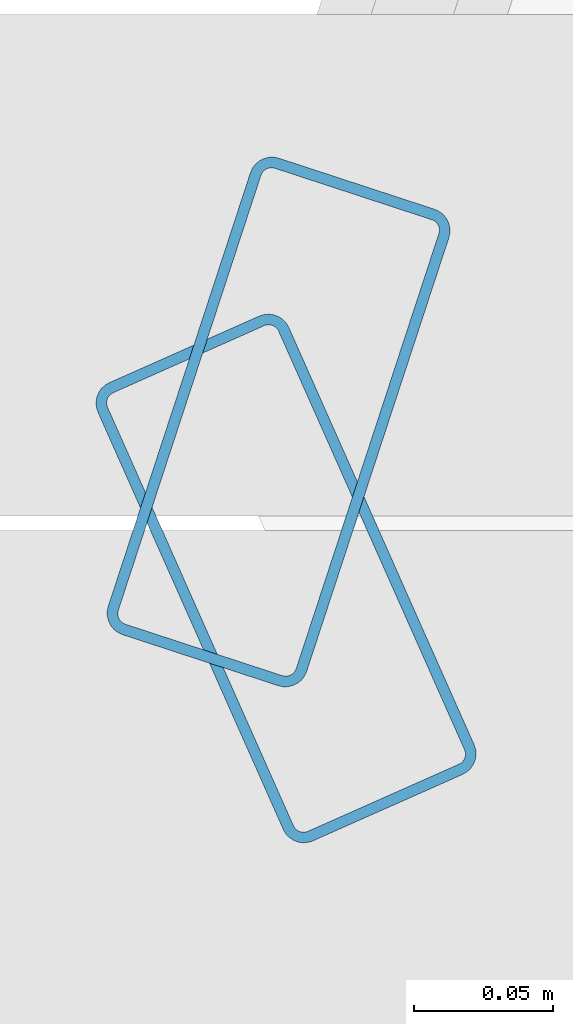
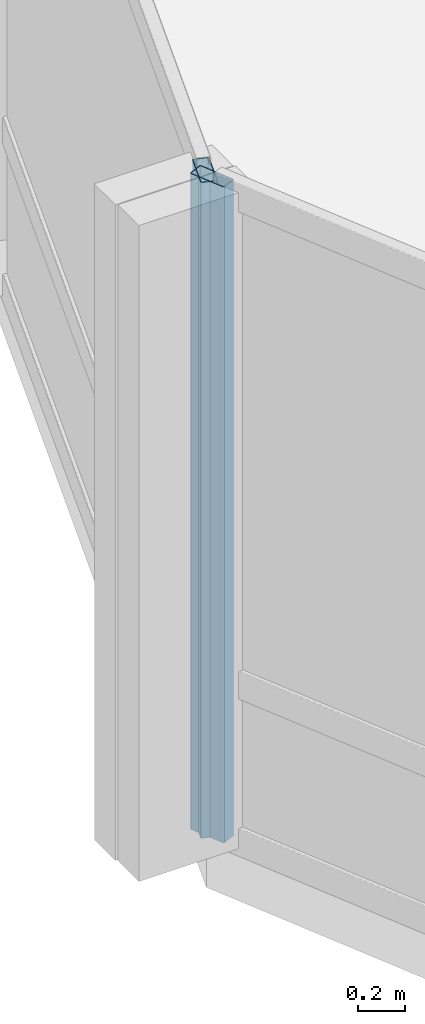
# One storey, part 6 of 34: 2 members, 2 elements without a shape of their own.
"""IFC4 building model written with IfcOpenShell, lengths in metres."""

from ifc_helpers import new_model, si_unit, direction, frame, origin, origin_2d, place, context, subcontext, project, spatial, hollow_rectangle, extrude, material, layer, layer_set, material_profile, profile_set, type_object, element, aggregate, save


model = new_model("IFC4")

# Units and contexts
model_context = context("Model", 3, precision=1e-05, world=origin(), true_north=direction((0.0, 1.0)))
body_context = subcontext(model_context, "Body", "Model", "MODEL_VIEW")
ifc_project = project(units=[si_unit("LENGTHUNIT", "METRE"), si_unit("AREAUNIT", "SQUARE_METRE"), si_unit("VOLUMEUNIT", "CUBIC_METRE"), si_unit("PLANEANGLEUNIT", "RADIAN"), si_unit("MASSUNIT", "GRAM", prefix="KILO")], contexts=[model_context])

# Site, building, storey
site_placement = place(None, origin())
site = spatial("IfcSite", under=ifc_project, at=site_placement, CompositionType="ELEMENT")
building_placement = place(site_placement, origin())
building = spatial("IfcBuilding", under=site, at=building_placement, Name="Solvaryn Broadcast Tower", CompositionType="ELEMENT")
storey_placement = place(building_placement, frame((0.0, 0.0, 58.199951171875)))
storey = spatial("IfcBuildingStorey", under=building, at=storey_placement, Name="L13", CompositionType="ELEMENT", Elevation=58.199951171875)

# Curtain wall, member
ifc_material_1 = material(Name="Aluminium and Terracotta Unitised Curtain Wall", Category="masonry")
ifc_layer_1 = layer(ifc_material_1, 0.199951171875)
ifc_layer_set_1 = layer_set([ifc_layer_1], Name="CW-SYS2-LOWMID")
curtain_wall_type_1 = type_object("IfcCurtainWallType", Name="CW-SYS2-LOWMID", PredefinedType="NOTDEFINED", material=ifc_layer_set_1)
curtain_wall_1_placement = place(storey_placement, origin())
curtain_wall_1 = element("IfcCurtainWall", 1, at=curtain_wall_1_placement, inside=storey, type_object=curtain_wall_type_1, Name="L13 Curtain Wall DR1", PredefinedType="NOTDEFINED")
ifc_material_2 = material(Name="Anodised Aluminium 6063-T6", Category="aluminium")
ifc_material_profile = material_profile(ifc_material_2, hollow_rectangle(XDim=0.074951171875, YDim=0.179931640625, WallThickness=0.00390625, InnerFilletRadius=0.00390625, OuterFilletRadius=0.008056640625, at=origin_2d()))
ifc_profile_set = profile_set([ifc_material_profile], Name="Anodised Aluminium 6063-T6")
member_type = type_object("IfcMemberType", Name="CW-MUL-180", PredefinedType="MULLION", material=ifc_profile_set)
member_1_placement = place(storey_placement, frame((-0.45458984375, 26.588623046875, 0.0), z_axis=(0.0, 0.0, 1.0), x_axis=(0.950215318429, -0.311594044587, 0.0)))
member_1 = element("IfcMember", 2, at=member_1_placement, type_object=member_type, Name="CWS2 mullion 2", PredefinedType="MULLION", context=body_context, shape_type="SweptSolid", body=[
    extrude(hollow_rectangle(XDim=0.074951171875, YDim=0.179931640625, WallThickness=0.00390625, InnerFilletRadius=0.00390625, OuterFilletRadius=0.008056640625, at=origin_2d()), origin(), (0.0, 0.0, 1.0), 3.420166015625),
])
aggregate(curtain_wall_1, [member_1])

ifc_material_3 = material(Name="Aluminium and Terracotta Unitised Curtain Wall", Category="masonry")
ifc_layer_2 = layer(ifc_material_3, 0.239990234375)
ifc_layer_set_2 = layer_set([ifc_layer_2], Name="CW-SYS3-BAYBOX")
curtain_wall_type_2 = type_object("IfcCurtainWallType", Name="CW-SYS3-BAYBOX", PredefinedType="NOTDEFINED", material=ifc_layer_set_2)
curtain_wall_2_placement = place(storey_placement, origin())
curtain_wall_2 = element("IfcCurtainWall", 3, at=curtain_wall_2_placement, inside=storey, type_object=curtain_wall_type_2, Name="L13 Curtain Wall DR2", PredefinedType="NOTDEFINED")
member_2_placement = place(storey_placement, frame((-0.451904296875, 26.532470703125, 0.0), z_axis=(0.0, 0.0, 1.0), x_axis=(0.913918257271, 0.405898286554, 0.0)))
member_2 = element("IfcMember", 4, at=member_2_placement, type_object=member_type, Name="CWS3 mullion 1", PredefinedType="MULLION", context=body_context, shape_type="SweptSolid", body=[
    extrude(hollow_rectangle(XDim=0.074951171875, YDim=0.179931640625, WallThickness=0.00390625, InnerFilletRadius=0.00390625, OuterFilletRadius=0.008056640625, at=origin_2d()), origin(), (0.0, 0.0, 1.0), 3.420166015625),
])
aggregate(curtain_wall_2, [member_2])

save(model, "model.ifc")
